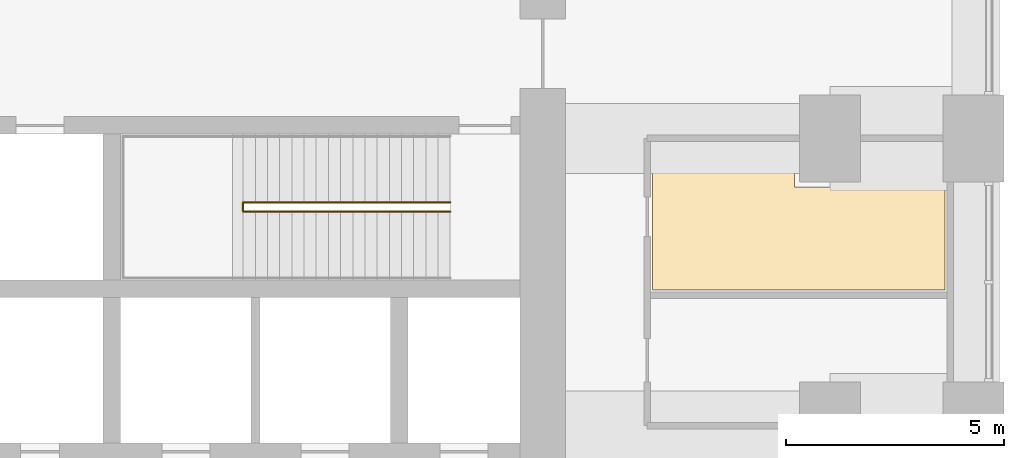
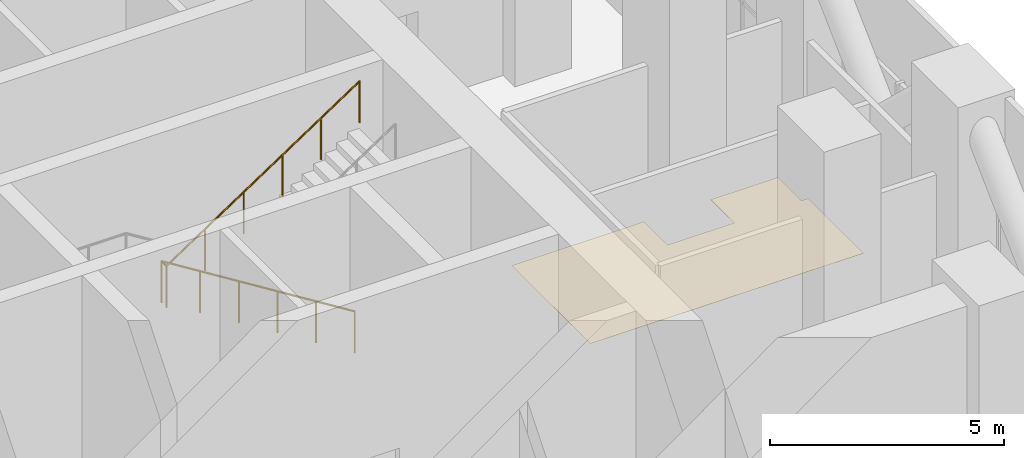
# One storey, part 16 of 16: 1 covering, 1 railing.
"""IFC4 building model written with IfcOpenShell, lengths in metres."""

from ifc_helpers import new_model, si_unit, direction, frame, origin, place, context, subcontext, project, spatial, polyline, outline, extrude, material, layer, layer_set, type_object, element, save


model = new_model("IFC4")

# Units and contexts
model_context = context("Model", 3, precision=1e-05, world=origin(), true_north=direction((0.0, 1.0)))
body_context = subcontext(model_context, "Body", "Model", "MODEL_VIEW")
ifc_project = project(units=[si_unit("LENGTHUNIT", "METRE"), si_unit("AREAUNIT", "SQUARE_METRE"), si_unit("VOLUMEUNIT", "CUBIC_METRE"), si_unit("PLANEANGLEUNIT", "RADIAN"), si_unit("MASSUNIT", "GRAM", prefix="KILO")], contexts=[model_context])

# Site, building, storey
site_placement = place(None, origin())
site = spatial("IfcSite", under=ifc_project, at=site_placement, CompositionType="ELEMENT")
building_placement = place(site_placement, origin())
building = spatial("IfcBuilding", under=site, at=building_placement, Name="Cobogo Forest Laboratory Tower", CompositionType="ELEMENT")
storey_placement = place(building_placement, frame((0.0, 0.0, 149.39990234375)))
storey = spatial("IfcBuildingStorey", under=building, at=storey_placement, Name="L34", CompositionType="ELEMENT", Elevation=149.39990234375)

# Railing
ifc_material_1 = material(Name="Steel balustrade", Category="steel")
railing_type = type_object("IfcRailingType", Name="GR stair guard 1100", PredefinedType="GUARDRAIL", material=ifc_material_1)
railing_placement = place(storey_placement, frame((37.47509765625, 24.929931640625, 0.175048828125)))
element("IfcRailing", 1, at=railing_placement, inside=storey, type_object=railing_type, Name="Stair guard ST2 L34", PredefinedType="GUARDRAIL", context=body_context, shape_type="SweptSolid", body=[
    extrude(outline(polyline([(0.022216796875, 0.00927734375), (0.00927734375, 0.022216796875), (-0.00927734375, 0.022216796875), (-0.022216796875, 0.00927734375), (-0.022216796875, -0.00927734375), (-0.00927734375, -0.022216796875), (0.00927734375, -0.022216796875), (0.022216796875, -0.00927734375), (0.022216796875, 0.00927734375)])), frame((0.0, 0.0, 1.077880859375), z_axis=(-0.847990973574, 0.0, 0.530010668512), x_axis=(0.0, -1.0, 0.0)), (0.0, 0.0, 1.0), 5.61328125),
    extrude(outline(polyline([(0.022216796875, 0.00927734375), (0.00927734375, 0.022216796875), (-0.00927734375, 0.022216796875), (-0.022216796875, 0.00927734375), (-0.022216796875, -0.00927734375), (-0.00927734375, -0.022216796875), (0.00927734375, -0.022216796875), (0.022216796875, -0.00927734375), (0.022216796875, 0.00927734375)])), frame((-4.760009765625, 0.0, 4.052978515625), z_axis=(0.0, -1.0, 0.0), x_axis=(1.0, 0.0, 0.0)), (0.0, 0.0, 1.0), 0.2099609375),
    extrude(outline(polyline([(0.022216796875, 0.00927734375), (0.00927734375, 0.022216796875), (-0.00927734375, 0.022216796875), (-0.022216796875, 0.00927734375), (-0.022216796875, -0.00927734375), (-0.00927734375, -0.022216796875), (0.00927734375, -0.022216796875), (0.022216796875, -0.00927734375), (0.022216796875, 0.00927734375)])), frame((-4.760009765625, -0.2099609375, 4.052978515625), z_axis=(0.833940600646, 0.0, 0.551854214983), x_axis=(0.0, 1.0, 0.0)), (0.0, 0.0, 1.0), 5.707763671875),
    extrude(outline(polyline([(0.019287109375, 0.008056640625), (0.008056640625, 0.019287109375), (-0.008056640625, 0.019287109375), (-0.019287109375, 0.008056640625), (-0.019287109375, -0.008056640625), (-0.008056640625, -0.019287109375), (0.008056640625, -0.019287109375), (0.019287109375, -0.008056640625), (0.019287109375, 0.008056640625)])), origin(), (0.0, 0.0, 1.0), 1.077880859375),
    extrude(outline(polyline([(0.019287109375, 0.008056640625), (0.008056640625, 0.019287109375), (-0.008056640625, 0.019287109375), (-0.019287109375, 0.008056640625), (-0.019287109375, -0.008056640625), (-0.008056640625, -0.019287109375), (0.008056640625, -0.019287109375), (0.019287109375, -0.008056640625), (0.019287109375, 0.008056640625)])), frame((-0.951904296875, 0.0, 0.594970703125)), (0.0, 0.0, 1.0), 1.077880859375),
    extrude(outline(polyline([(0.019287109375, 0.008056640625), (0.008056640625, 0.019287109375), (-0.008056640625, 0.019287109375), (-0.019287109375, 0.008056640625), (-0.019287109375, -0.008056640625), (-0.008056640625, -0.019287109375), (0.008056640625, -0.019287109375), (0.019287109375, -0.008056640625), (0.019287109375, 0.008056640625)])), frame((-1.904052734375, 0.0, 1.18994140625)), (0.0, 0.0, 1.0), 1.077880859375),
    extrude(outline(polyline([(0.019287109375, 0.008056640625), (0.008056640625, 0.019287109375), (-0.008056640625, 0.019287109375), (-0.019287109375, 0.008056640625), (-0.019287109375, -0.008056640625), (-0.008056640625, -0.019287109375), (0.008056640625, -0.019287109375), (0.019287109375, -0.008056640625), (0.019287109375, 0.008056640625)])), frame((-2.85595703125, 0.0, 1.78515625)), (0.0, 0.0, 1.0), 1.077880859375),
    extrude(outline(polyline([(0.019287109375, 0.008056640625), (0.008056640625, 0.019287109375), (-0.008056640625, 0.019287109375), (-0.019287109375, 0.008056640625), (-0.019287109375, -0.008056640625), (-0.008056640625, -0.019287109375), (0.008056640625, -0.019287109375), (0.019287109375, -0.008056640625), (0.019287109375, 0.008056640625)])), frame((-3.80810546875, 0.0, 2.380126953125)), (0.0, 0.0, 1.0), 1.077880859375),
    extrude(outline(polyline([(0.019287109375, 0.008056640625), (0.008056640625, 0.019287109375), (-0.008056640625, 0.019287109375), (-0.019287109375, 0.008056640625), (-0.019287109375, -0.008056640625), (-0.008056640625, -0.019287109375), (0.008056640625, -0.019287109375), (0.019287109375, -0.008056640625), (0.019287109375, 0.008056640625)])), frame((-4.760009765625, 0.0, 2.97509765625)), (0.0, 0.0, 1.0), 1.077880859375),
    extrude(outline(polyline([(0.019287109375, 0.008056640625), (0.008056640625, 0.019287109375), (-0.008056640625, 0.019287109375), (-0.019287109375, 0.008056640625), (-0.019287109375, -0.008056640625), (-0.008056640625, -0.019287109375), (0.008056640625, -0.019287109375), (0.019287109375, -0.008056640625), (0.019287109375, 0.008056640625)])), frame((-4.760009765625, -0.2099609375, 2.97509765625)), (0.0, 0.0, 1.0), 1.077880859375),
    extrude(outline(polyline([(0.019287109375, 0.008056640625), (0.008056640625, 0.019287109375), (-0.008056640625, 0.019287109375), (-0.019287109375, 0.008056640625), (-0.019287109375, -0.008056640625), (-0.008056640625, -0.019287109375), (0.008056640625, -0.019287109375), (0.019287109375, -0.008056640625), (0.019287109375, 0.008056640625)])), frame((-3.80810546875, -0.2099609375, 3.60498046875)), (0.0, 0.0, 1.0), 1.077880859375),
    extrude(outline(polyline([(0.019287109375, 0.008056640625), (0.008056640625, 0.019287109375), (-0.008056640625, 0.019287109375), (-0.019287109375, 0.008056640625), (-0.019287109375, -0.008056640625), (-0.008056640625, -0.019287109375), (0.008056640625, -0.019287109375), (0.019287109375, -0.008056640625), (0.019287109375, 0.008056640625)])), frame((-2.85595703125, -0.2099609375, 4.235107421875)), (0.0, 0.0, 1.0), 1.077880859375),
    extrude(outline(polyline([(0.019287109375, 0.008056640625), (0.008056640625, 0.019287109375), (-0.008056640625, 0.019287109375), (-0.019287109375, 0.008056640625), (-0.019287109375, -0.008056640625), (-0.008056640625, -0.019287109375), (0.008056640625, -0.019287109375), (0.019287109375, -0.008056640625), (0.019287109375, 0.008056640625)])), frame((-1.904052734375, -0.2099609375, 4.864990234375)), (0.0, 0.0, 1.0), 1.077880859375),
    extrude(outline(polyline([(0.019287109375, 0.008056640625), (0.008056640625, 0.019287109375), (-0.008056640625, 0.019287109375), (-0.019287109375, 0.008056640625), (-0.019287109375, -0.008056640625), (-0.008056640625, -0.019287109375), (0.008056640625, -0.019287109375), (0.019287109375, -0.008056640625), (0.019287109375, 0.008056640625)])), frame((-0.951904296875, -0.2099609375, 5.4951171875)), (0.0, 0.0, 1.0), 1.077880859375),
    extrude(outline(polyline([(0.019287109375, 0.008056640625), (0.008056640625, 0.019287109375), (-0.008056640625, 0.019287109375), (-0.019287109375, 0.008056640625), (-0.019287109375, -0.008056640625), (-0.008056640625, -0.019287109375), (0.008056640625, -0.019287109375), (0.019287109375, -0.008056640625), (0.019287109375, 0.008056640625)])), frame((0.0, -0.2099609375, 6.125)), (0.0, 0.0, 1.0), 1.077880859375),
])

# Covering
ifc_material_2 = material(Name="Static-dissipative vinyl flooring", Category="flooring")
ifc_layer = layer(ifc_material_2, 0.0029296875)
ifc_layer_set = layer_set([ifc_layer], Name="SD1 static-dissipative vinyl floor 3")
covering_type = type_object("IfcCoveringType", Name="SD1 static-dissipative vinyl floor 3", PredefinedType="FLOORING", material=ifc_layer_set)
covering_placement = place(storey_placement, origin())
element("IfcCovering", 2, at=covering_placement, inside=storey, type_object=covering_type, Name="Static-dissipative floor L34-10", PredefinedType="FLOORING", context=body_context, shape_type="SweptSolid", body=[
    extrude(outline(polyline([(42.1201171875, 26.280029296875), (45.3798828125, 26.280029296875), (45.3798828125, 25.280029296875), (47.02001953125, 25.280029296875), (47.02001953125, 26.280029296875), (48.679931640625, 26.280029296875), (48.679931640625, 25.280029296875), (48.844970703125, 25.280029296875), (48.844970703125, 22.919921875), (42.1201171875, 22.919921875), (42.1201171875, 26.280029296875)])), origin(), (0.0, 0.0, 1.0), 0.003173828125),
])

save(model, "model.ifc")
